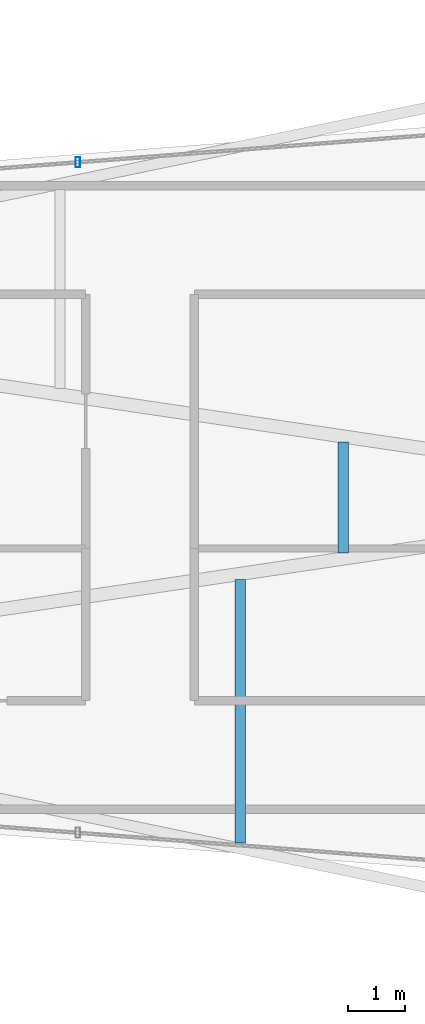
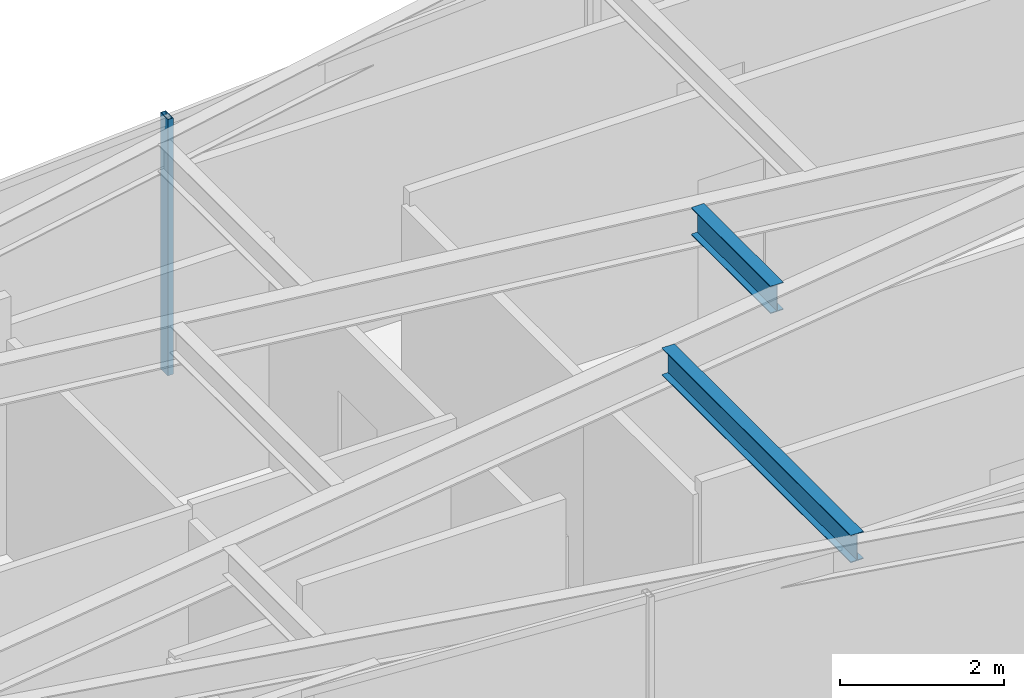
# One storey, part 10 of 29: 2 beams, 1 member, 1 element without a shape of its own.
"""IFC4 building model written with IfcOpenShell, lengths in metres."""

from ifc_helpers import new_model, si_unit, direction, frame, origin, origin_2d, place, context, subcontext, project, spatial, hollow_rectangle, i_section, extrude, material, layer, layer_set, material_profile, profile_set, type_object, element, aggregate, save


model = new_model("IFC4")

# Units and contexts
model_context = context("Model", 3, precision=1e-05, world=origin(), true_north=direction((0.0, 1.0)))
body_context = subcontext(model_context, "Body", "Model", "MODEL_VIEW")
ifc_project = project(units=[si_unit("LENGTHUNIT", "METRE"), si_unit("AREAUNIT", "SQUARE_METRE"), si_unit("VOLUMEUNIT", "CUBIC_METRE"), si_unit("PLANEANGLEUNIT", "RADIAN"), si_unit("MASSUNIT", "GRAM", prefix="KILO")], contexts=[model_context])

# Site, building, storey
site_placement = place(None, origin())
site = spatial("IfcSite", under=ifc_project, at=site_placement, CompositionType="ELEMENT")
building_placement = place(site_placement, origin())
building = spatial("IfcBuilding", under=site, at=building_placement, Name="Veymaron Broadcast Tower", CompositionType="ELEMENT")
storey_placement = place(building_placement, frame((0.0, 0.0, 58.050048828125)))
storey = spatial("IfcBuildingStorey", under=building, at=storey_placement, Name="L12", CompositionType="ELEMENT", Elevation=58.050048828125)

# Beams
ifc_material_1 = material(Name="Structural steel ASTM A992 Gr 50", Category="steel")
ifc_material_profile_1 = material_profile(ifc_material_1, i_section(OverallWidth=0.177978515625, OverallDepth=0.406982421875, WebThickness=0.0078125, FlangeThickness=0.0126953125, at=origin_2d()), Name="W410X60")
ifc_profile_set_1 = profile_set([ifc_material_profile_1], Name="Structural steel ASTM A992 Gr 50")
beam_type = type_object("IfcBeamType", Name="BM-JS1", PredefinedType="JOIST", material=ifc_profile_set_1)
beam_1_placement = place(storey_placement, frame((22.19873046875, 17.966064453125, 3.6064453125), z_axis=(0.0, 1.0, 0.0), x_axis=(-1.0, 0.0, 0.0)))
element("IfcBeam", 1, at=beam_1_placement, inside=storey, type_object=beam_type, Name="L12 Arm-A secondary joist 2S", PredefinedType="JOIST", context=body_context, shape_type="SweptSolid", body=[
    extrude(i_section(OverallWidth=0.177978515625, OverallDepth=0.406982421875, WebThickness=0.0078125, FlangeThickness=0.0126953125, at=origin_2d()), origin(), (0.0, 0.0, 1.0), 4.599853515625),
])
beam_2_placement = place(storey_placement, frame((23.9990234375, 23.03271484375, 3.6064453125), z_axis=(0.0, 1.0, 0.0), x_axis=(-1.0, 0.0, 0.0)))
element("IfcBeam", 2, at=beam_2_placement, inside=storey, type_object=beam_type, Name="L12 Arm-A secondary joist 2M", PredefinedType="JOIST", context=body_context, shape_type="SweptSolid", body=[
    extrude(i_section(OverallWidth=0.177978515625, OverallDepth=0.406982421875, WebThickness=0.0078125, FlangeThickness=0.0126953125, at=origin_2d()), origin(), (0.0, 0.0, 1.0), 1.9345703125),
])

# Curtain wall, member
ifc_material_2 = material(Name="Anodised aluminium AA 6063-T6 and laminated low-E dark glass", Category="aluminium")
ifc_layer = layer(ifc_material_2, 0.179931640625)
ifc_layer_set = layer_set([ifc_layer], Name="Anodised aluminium AA 6063-T6 and laminated low-E dark glass")
curtain_wall_type = type_object("IfcCurtainWallType", Name="CW-SYS-02", PredefinedType="NOTDEFINED", material=ifc_layer_set)
curtain_wall_placement = place(storey_placement, origin())
curtain_wall = element("IfcCurtainWall", 3, at=curtain_wall_placement, inside=storey, type_object=curtain_wall_type, Name="L12 dark-glass curtain wall CW-L12-E11-1", PredefinedType="NOTDEFINED")
ifc_material_3 = material(Name="Anodised aluminium AA 6063-T6", Category="aluminium")
ifc_material_profile_2 = material_profile(ifc_material_3, hollow_rectangle(XDim=0.074951171875, YDim=0.179931640625, WallThickness=0.0048828125, at=origin_2d()), Name="AL180X75X5")
ifc_profile_set_2 = profile_set([ifc_material_profile_2], Name="Anodised aluminium AA 6063-T6")
member_type = type_object("IfcMemberType", Name="CW-MUL-02", PredefinedType="MULLION", material=ifc_profile_set_2)
member_placement = place(storey_placement, frame((19.36279296875, 29.857666015625, 0.0), z_axis=(0.0, 0.0, 1.0), x_axis=(1.0, 0.0, 0.0)))
member = element("IfcMember", 4, at=member_placement, type_object=member_type, Name="CW-L12-E11-1 mullion 1", PredefinedType="MULLION", context=body_context, shape_type="SweptSolid", body=[
    extrude(hollow_rectangle(XDim=0.074951171875, YDim=0.179931640625, WallThickness=0.0048828125, at=origin_2d()), origin(), (0.0, 0.0, 1.0), 3.81005859375),
])
aggregate(curtain_wall, [member])

save(model, "model.ifc")
